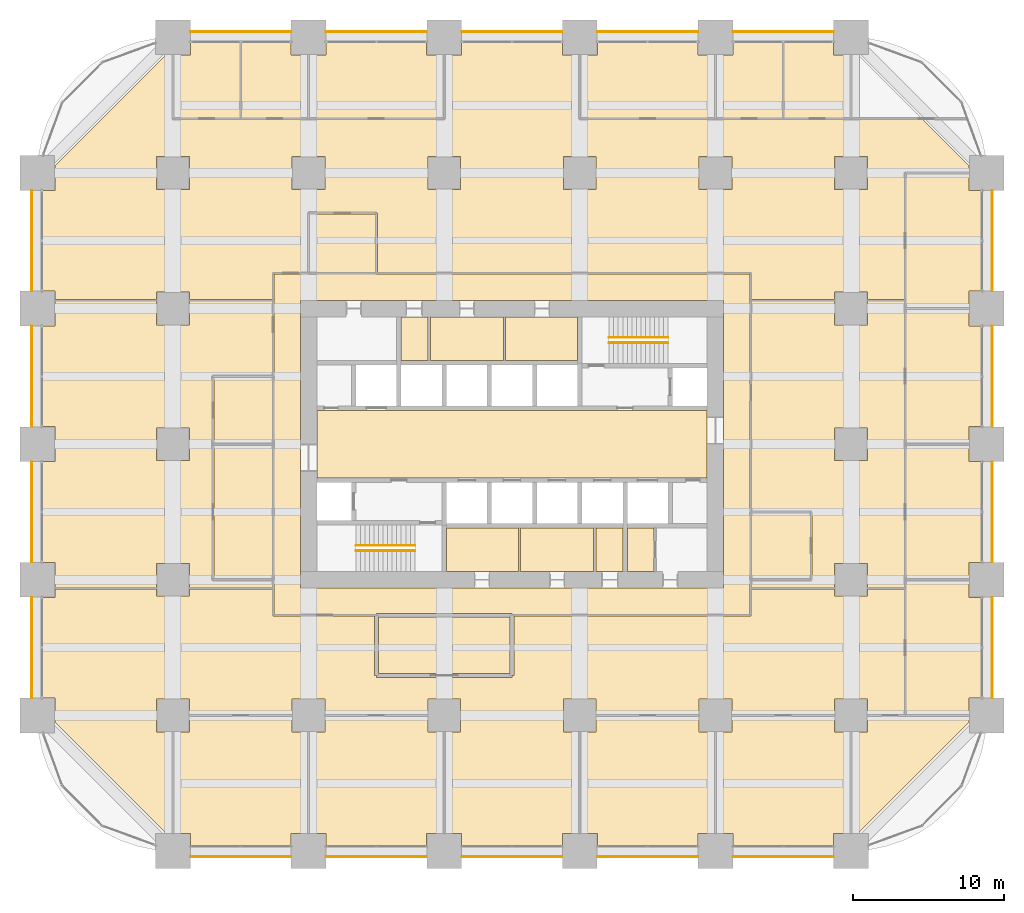
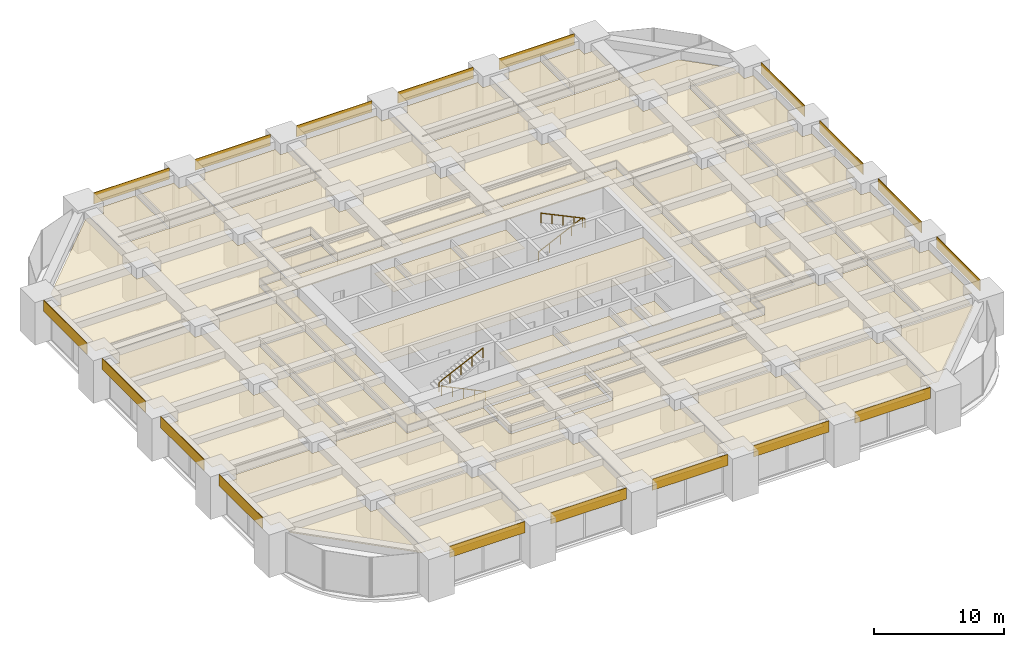
# One storey, part 43 of 44: 51 coverings, 4 railings.
"""IFC4 building model written with IfcOpenShell, lengths in metres."""

from ifc_helpers import new_model, si_unit, direction, frame, frame_2d, origin, origin_2d, place, context, subcontext, project, spatial, polyline, rectangle, circle, outline, extrude, material, layer, layer_set, type_object, element, save


model = new_model("IFC4")

# Units and contexts
model_context = context("Model", 3, precision=1e-05, world=origin(), true_north=direction((0.0, 1.0)))
body_context = subcontext(model_context, "Body", "Model", "MODEL_VIEW")
ifc_project = project(units=[si_unit("LENGTHUNIT", "METRE"), si_unit("AREAUNIT", "SQUARE_METRE"), si_unit("VOLUMEUNIT", "CUBIC_METRE"), si_unit("PLANEANGLEUNIT", "RADIAN"), si_unit("MASSUNIT", "GRAM", prefix="KILO")], contexts=[model_context])

# Site, building, storey
site_placement = place(None, origin())
site = spatial("IfcSite", under=ifc_project, at=site_placement, CompositionType="ELEMENT")
building_placement = place(site_placement, origin())
building = spatial("IfcBuilding", under=site, at=building_placement, Name="Zorevar Civic Tower", CompositionType="ELEMENT")
storey_placement = place(building_placement, frame((0.0, 0.0, 55.800048828125)))
storey = spatial("IfcBuildingStorey", under=building, at=storey_placement, Name="L13", CompositionType="ELEMENT", Elevation=55.800048828125)

# Railings
ifc_material_1 = material(Name="Black steel handrail", Category="steel")
railing_type = type_object("IfcRailingType", Name="Handrail HR1 900", PredefinedType="HANDRAIL", material=ifc_material_1)
railing_1_placement = place(storey_placement, frame((25.050048828125, 19.925048828125, 0.142822265625)))
element("IfcRailing", 1, at=railing_1_placement, inside=storey, type_object=railing_type, Name="Handrail HR1 ST1 L13", PredefinedType="HANDRAIL", context=body_context, shape_type="SweptSolid", body=[
    extrude(circle(Radius=0.02392578125, at=origin_2d()), frame((0.0, 0.0, 0.8759765625), z_axis=(-0.902863652845, 0.0, 0.429926998885), x_axis=(0.0, -1.0, 0.0)), (0.0, 0.0, 1.0), 4.31982421875),
    extrude(circle(Radius=0.02099609375, at=origin_2d()), origin(), (0.0, 0.0, 1.0), 0.851806640625),
    extrude(circle(Radius=0.02099609375, at=origin_2d()), frame((-0.97509765625, 0.0, 0.46435546875)), (0.0, 0.0, 1.0), 0.851806640625),
    extrude(circle(Radius=0.02099609375, at=origin_2d()), frame((-1.9501953125, 0.0, 0.9287109375)), (0.0, 0.0, 1.0), 0.851806640625),
    extrude(circle(Radius=0.02099609375, at=origin_2d()), frame((-2.925048828125, 0.0, 1.392822265625)), (0.0, 0.0, 1.0), 0.851806640625),
    extrude(circle(Radius=0.02099609375, at=origin_2d()), frame((-3.900146484375, 0.0, 1.857177734375)), (0.0, 0.0, 1.0), 0.851806640625),
])
for number, where, name in (
    (2, (21.14990234375, 20.27490234375, 2.142822265625), "Handrail HR1 ST1 L13"),
    (3, (37.949951171875, 34.074951171875, 0.142822265625), "Handrail HR1 ST2 L13"),
):
    element("IfcRailing", number, at=place(storey_placement, frame(where)), inside=storey, type_object=railing_type, Name=name, PredefinedType="HANDRAIL", context=body_context, shape_type="SweptSolid", body=[
        extrude(circle(Radius=0.02392578125, at=origin_2d()), frame((0.0, 0.0, 0.8759765625), z_axis=(0.902863652845, 0.0, 0.429926998885), x_axis=(0.0, 1.0, 0.0)), (0.0, 0.0, 1.0), 4.31982421875),
        extrude(circle(Radius=0.02099609375, at=origin_2d()), origin(), (0.0, 0.0, 1.0), 0.851806640625),
        extrude(circle(Radius=0.02099609375, at=origin_2d()), frame((0.97509765625, 0.0, 0.46435546875)), (0.0, 0.0, 1.0), 0.851806640625),
        extrude(circle(Radius=0.02099609375, at=origin_2d()), frame((1.9501953125, 0.0, 0.9287109375)), (0.0, 0.0, 1.0), 0.851806640625),
        extrude(circle(Radius=0.02099609375, at=origin_2d()), frame((2.925048828125, 0.0, 1.392822265625)), (0.0, 0.0, 1.0), 0.851806640625),
        extrude(circle(Radius=0.02099609375, at=origin_2d()), frame((3.900146484375, 0.0, 1.857177734375)), (0.0, 0.0, 1.0), 0.851806640625),
    ])
railing_2_placement = place(storey_placement, frame((41.85009765625, 33.72509765625, 2.142822265625)))
element("IfcRailing", 4, at=railing_2_placement, inside=storey, type_object=railing_type, Name="Handrail HR1 ST2 L13", PredefinedType="HANDRAIL", context=body_context, shape_type="SweptSolid", body=[
    extrude(circle(Radius=0.02392578125, at=origin_2d()), frame((0.0, 0.0, 0.8759765625), z_axis=(-0.902863652845, 0.0, 0.429926998885), x_axis=(0.0, -1.0, 0.0)), (0.0, 0.0, 1.0), 4.31982421875),
    extrude(circle(Radius=0.02099609375, at=origin_2d()), origin(), (0.0, 0.0, 1.0), 0.851806640625),
    extrude(circle(Radius=0.02099609375, at=origin_2d()), frame((-0.97509765625, 0.0, 0.46435546875)), (0.0, 0.0, 1.0), 0.851806640625),
    extrude(circle(Radius=0.02099609375, at=origin_2d()), frame((-1.9501953125, 0.0, 0.9287109375)), (0.0, 0.0, 1.0), 0.851806640625),
    extrude(circle(Radius=0.02099609375, at=origin_2d()), frame((-2.925048828125, 0.0, 1.392822265625)), (0.0, 0.0, 1.0), 0.851806640625),
    extrude(circle(Radius=0.02099609375, at=origin_2d()), frame((-3.900146484375, 0.0, 1.857177734375)), (0.0, 0.0, 1.0), 0.851806640625),
])

# Coverings
ifc_material_2 = material(Name="Moisture-resistant gypsum board")
ifc_layer_1 = layer(ifc_material_2, 0.012451171875)
ifc_layer_set_1 = layer_set([ifc_layer_1], Name="Moisture-resistant ceiling SC3")
covering_type_1 = type_object("IfcCoveringType", Name="Moisture-resistant ceiling SC3", PredefinedType="CEILING", material=ifc_layer_set_1)
covering_1_placement = place(storey_placement, frame((0.0, 0.0, 3.0)))
element("IfcCovering", 5, at=covering_1_placement, inside=storey, type_object=covering_type_1, Name="Ceiling L13-05", PredefinedType="CEILING", context=body_context, shape_type="SweptSolid", body=[
    extrude(outline(polyline([(31.925048828125, 18.550048828125), (31.925048828125, 21.449951171875), (27.14990234375, 21.449951171875), (27.14990234375, 18.550048828125), (31.925048828125, 18.550048828125)])), origin(), (0.0, 0.0, 1.0), 0.012451171875),
])
covering_2_placement = place(storey_placement, frame((0.0, 0.0, 3.0)))
element("IfcCovering", 6, at=covering_2_placement, inside=storey, type_object=covering_type_1, Name="Ceiling L13-06", PredefinedType="CEILING", context=body_context, shape_type="SweptSolid", body=[
    extrude(outline(polyline([(36.925048828125, 18.550048828125), (36.925048828125, 21.449951171875), (32.074951171875, 21.449951171875), (32.074951171875, 18.550048828125), (36.925048828125, 18.550048828125)])), origin(), (0.0, 0.0, 1.0), 0.012451171875),
])
covering_3_placement = place(storey_placement, frame((0.0, 0.0, 3.0)))
element("IfcCovering", 7, at=covering_3_placement, inside=storey, type_object=covering_type_1, Name="Ceiling L13-07", PredefinedType="CEILING", context=body_context, shape_type="SweptSolid", body=[
    extrude(outline(polyline([(38.85009765625, 18.550048828125), (38.85009765625, 21.449951171875), (37.074951171875, 21.449951171875), (37.074951171875, 18.550048828125), (38.85009765625, 18.550048828125)])), origin(), (0.0, 0.0, 1.0), 0.012451171875),
])
covering_4_placement = place(storey_placement, frame((0.0, 0.0, 3.0)))
element("IfcCovering", 8, at=covering_4_placement, inside=storey, type_object=covering_type_1, Name="Ceiling L13-08", PredefinedType="CEILING", context=body_context, shape_type="SweptSolid", body=[
    extrude(outline(polyline([(35.85009765625, 32.550048828125), (35.85009765625, 35.449951171875), (31.074951171875, 35.449951171875), (31.074951171875, 32.550048828125), (35.85009765625, 32.550048828125)])), origin(), (0.0, 0.0, 1.0), 0.012451171875),
])
covering_5_placement = place(storey_placement, frame((0.0, 0.0, 3.0)))
element("IfcCovering", 9, at=covering_5_placement, inside=storey, type_object=covering_type_1, Name="Ceiling L13-09", PredefinedType="CEILING", context=body_context, shape_type="SweptSolid", body=[
    extrude(outline(polyline([(30.925048828125, 32.550048828125), (30.925048828125, 35.449951171875), (26.074951171875, 35.449951171875), (26.074951171875, 32.550048828125), (30.925048828125, 32.550048828125)])), origin(), (0.0, 0.0, 1.0), 0.012451171875),
])
covering_6_placement = place(storey_placement, frame((0.0, 0.0, 3.0)))
element("IfcCovering", 10, at=covering_6_placement, inside=storey, type_object=covering_type_1, Name="Ceiling L13-10", PredefinedType="CEILING", context=body_context, shape_type="SweptSolid", body=[
    extrude(outline(polyline([(25.925048828125, 32.550048828125), (25.925048828125, 35.449951171875), (24.14990234375, 35.449951171875), (24.14990234375, 32.550048828125), (25.925048828125, 32.550048828125)])), origin(), (0.0, 0.0, 1.0), 0.012451171875),
])
ifc_material_3 = material(Name="Black anodised aluminium spandrel panel", Category="aluminium")
ifc_layer_2 = layer(ifc_material_3, 0.050048828125)
ifc_layer_set_2 = layer_set([ifc_layer_2], Name="Spandrel cladding SP1")
covering_type_2 = type_object("IfcCoveringType", Name="Spandrel cladding SP1", PredefinedType="CLADDING", material=ifc_layer_set_2)
for number, where, z_axis, x_axis, name in (
    (11, (10.14990234375, -0.375, 2.949951171875), (0.0, 0.0, 1.0), (1.0, 0.0, 0.0), "Spandrel cladding L14"),
    (12, (19.14990234375, -0.375, 2.949951171875), (0.0, 0.0, 1.0), (1.0, 0.0, 0.0), "Spandrel cladding L14"),
    (13, (28.14990234375, -0.375, 2.949951171875), (0.0, 0.0, 1.0), (1.0, 0.0, 0.0), "Spandrel cladding L14"),
    (14, (37.14990234375, -0.375, 2.949951171875), (0.0, 0.0, 1.0), (1.0, 0.0, 0.0), "Spandrel cladding L14"),
    (15, (46.14990234375, -0.375, 2.949951171875), (0.0, 0.0, 1.0), (1.0, 0.0, 0.0), "Spandrel cladding L14"),
    (16, (10.14990234375, 54.375, 2.949951171875), (0.0, 0.0, 1.0), (1.0, 0.0, 0.0), "Spandrel cladding L14"),
    (17, (19.14990234375, 54.375, 2.949951171875), (0.0, 0.0, 1.0), (1.0, 0.0, 0.0), "Spandrel cladding L14"),
    (18, (28.14990234375, 54.375, 2.949951171875), (0.0, 0.0, 1.0), (1.0, 0.0, 0.0), "Spandrel cladding L14"),
    (19, (37.14990234375, 54.375, 2.949951171875), (0.0, 0.0, 1.0), (1.0, 0.0, 0.0), "Spandrel cladding L14"),
    (20, (46.14990234375, 54.375, 2.949951171875), (0.0, 0.0, 1.0), (1.0, 0.0, 0.0), "Spandrel cladding L14"),
    (21, (-0.375, 10.14990234375, 2.949951171875), (0.0, 0.0, 1.0), (0.0, 1.0, 0.0), "Spandrel cladding L14"),
    (22, (-0.375, 19.14990234375, 2.949951171875), (0.0, 0.0, 1.0), (0.0, 1.0, 0.0), "Spandrel cladding L14"),
    (23, (-0.375, 28.14990234375, 2.949951171875), (0.0, 0.0, 1.0), (0.0, 1.0, 0.0), "Spandrel cladding L14"),
    (24, (-0.375, 37.14990234375, 2.949951171875), (0.0, 0.0, 1.0), (0.0, 1.0, 0.0), "Spandrel cladding L14"),
    (25, (63.375, 10.14990234375, 2.949951171875), (0.0, 0.0, 1.0), (0.0, 1.0, 0.0), "Spandrel cladding L14"),
    (26, (63.375, 19.14990234375, 2.949951171875), (0.0, 0.0, 1.0), (0.0, 1.0, 0.0), "Spandrel cladding L14"),
    (27, (63.375, 28.14990234375, 2.949951171875), (0.0, 0.0, 1.0), (0.0, 1.0, 0.0), "Spandrel cladding L14"),
    (28, (63.375, 37.14990234375, 2.949951171875), (0.0, 0.0, 1.0), (0.0, 1.0, 0.0), "Spandrel cladding L14"),
):
    element("IfcCovering", number, at=place(storey_placement, frame(where, z_axis=z_axis, x_axis=x_axis)), inside=storey, type_object=covering_type_2, Name=name, PredefinedType="CLADDING", context=body_context, shape_type="SweptSolid", body=[
        extrude(rectangle(XDim=6.7001953125, YDim=0.050048828125, at=frame_2d((3.35009765625, 0.0))), origin(), (0.0, 0.0, 1.0), 1.050048828125),
    ])
ifc_material_4 = material(Name="Mineral fibre tiles on a concealed grid")
ifc_layer_3 = layer(ifc_material_4, 0.02001953125)
ifc_layer_set_3 = layer_set([ifc_layer_3], Name="Suspended ceiling SC1")
covering_type_3 = type_object("IfcCoveringType", Name="Suspended ceiling SC1", PredefinedType="CEILING", material=ifc_layer_set_3)
covering_7_placement = place(storey_placement, frame((0.0, 0.0, 3.0)))
element("IfcCovering", 29, at=covering_7_placement, inside=storey, type_object=covering_type_3, Name="Ceiling L13-11", PredefinedType="CEILING", context=body_context, shape_type="SweptSolid", body=[
    extrude(outline(polyline([(40.93994140625, 18.550048828125), (40.93994140625, 21.449951171875), (39.14990234375, 21.449951171875), (39.14990234375, 18.550048828125), (40.93994140625, 18.550048828125)])), origin(), (0.0, 0.0, 1.0), 0.02001953125),
])
covering_8_placement = place(storey_placement, frame((0.0, 0.0, 3.0)))
element("IfcCovering", 30, at=covering_8_placement, inside=storey, type_object=covering_type_3, Name="Ceiling L13-16", PredefinedType="CEILING", context=body_context, shape_type="SweptSolid", body=[
    extrude(outline(polyline([(44.449951171875, 24.75), (44.449951171875, 29.25), (18.550048828125, 29.25), (18.550048828125, 24.75), (44.449951171875, 24.75)])), origin(), (0.0, 0.0, 1.0), 0.02001953125),
])
covering_9_placement = place(storey_placement, frame((0.0, 0.0, 3.0)))
element("IfcCovering", 31, at=covering_9_placement, inside=storey, type_object=covering_type_3, Name="Ceiling L13-17", PredefinedType="CEILING", context=body_context, shape_type="SweptSolid", body=[
    extrude(outline(polyline([(9.06005859375, 1.159912109375), (9.06005859375, 7.9150390625), (10.0849609375, 7.9150390625), (10.0849609375, 8.93994140625), (16.9150390625, 8.93994140625), (16.9150390625, 7.9150390625), (17.93994140625, 7.9150390625), (17.93994140625, 1.159912109375), (16.840087890625, 1.159912109375), (16.840087890625, 0.35009765625), (10.159912109375, 0.35009765625), (10.159912109375, 1.159912109375), (9.06005859375, 1.159912109375)])), origin(), (0.0, 0.0, 1.0), 0.02001953125),
])
covering_10_placement = place(storey_placement, frame((0.0, 0.0, 3.0)))
element("IfcCovering", 32, at=covering_10_placement, inside=storey, type_object=covering_type_3, Name="Ceiling L13-18", PredefinedType="CEILING", context=body_context, shape_type="SweptSolid", body=[
    extrude(outline(polyline([(18.06005859375, 1.159912109375), (18.06005859375, 7.9150390625), (19.0849609375, 7.9150390625), (19.0849609375, 8.93994140625), (25.9150390625, 8.93994140625), (25.9150390625, 7.9150390625), (26.93994140625, 7.9150390625), (26.93994140625, 1.159912109375), (25.840087890625, 1.159912109375), (25.840087890625, 0.35009765625), (19.159912109375, 0.35009765625), (19.159912109375, 1.159912109375), (18.06005859375, 1.159912109375)])), origin(), (0.0, 0.0, 1.0), 0.02001953125),
])
covering_11_placement = place(storey_placement, frame((0.0, 0.0, 3.0)))
element("IfcCovering", 33, at=covering_11_placement, inside=storey, type_object=covering_type_3, Name="Ceiling L13-19", PredefinedType="CEILING", context=body_context, shape_type="SweptSolid", body=[
    extrude(outline(polyline([(36.06005859375, 1.159912109375), (36.06005859375, 7.9150390625), (37.0849609375, 7.9150390625), (37.0849609375, 8.93994140625), (43.9150390625, 8.93994140625), (43.9150390625, 7.9150390625), (44.93994140625, 7.9150390625), (44.93994140625, 1.159912109375), (43.840087890625, 1.159912109375), (43.840087890625, 0.35009765625), (37.159912109375, 0.35009765625), (37.159912109375, 1.159912109375), (36.06005859375, 1.159912109375)])), origin(), (0.0, 0.0, 1.0), 0.02001953125),
])
covering_12_placement = place(storey_placement, frame((0.0, 0.0, 3.0)))
element("IfcCovering", 34, at=covering_12_placement, inside=storey, type_object=covering_type_3, Name="Ceiling L13-20", PredefinedType="CEILING", context=body_context, shape_type="SweptSolid", body=[
    extrude(outline(polyline([(45.06005859375, 1.159912109375), (45.06005859375, 7.9150390625), (46.0849609375, 7.9150390625), (46.0849609375, 8.93994140625), (52.9150390625, 8.93994140625), (52.9150390625, 7.9150390625), (53.93994140625, 7.9150390625), (53.93994140625, 1.159912109375), (52.840087890625, 1.159912109375), (52.840087890625, 0.35009765625), (46.159912109375, 0.35009765625), (46.159912109375, 1.159912109375), (45.06005859375, 1.159912109375)])), origin(), (0.0, 0.0, 1.0), 0.02001953125),
])
covering_13_placement = place(storey_placement, frame((0.0, 0.0, 3.0)))
element("IfcCovering", 35, at=covering_13_placement, inside=storey, type_object=covering_type_3, Name="Ceiling L13-21", PredefinedType="CEILING", context=body_context, shape_type="SweptSolid", body=[
    extrude(outline(polyline([(22.625, 15.52490234375), (31.375, 15.52490234375), (31.375, 11.77490234375), (22.625, 11.77490234375), (22.625, 15.52490234375)])), origin(), (0.0, 0.0, 1.0), 0.02001953125),
])
covering_14_placement = place(storey_placement, frame((0.0, 0.0, 3.0)))
element("IfcCovering", 36, at=covering_14_placement, inside=storey, type_object=covering_type_3, Name="Ceiling L13-22", PredefinedType="CEILING", context=body_context, shape_type="SweptSolid", body=[
    extrude(outline(polyline([(15.590087890625, 18.06005859375), (11.7099609375, 18.06005859375), (11.7099609375, 26.93994140625), (15.590087890625, 26.93994140625), (15.590087890625, 18.06005859375)])), origin(), (0.0, 0.0, 1.0), 0.02001953125),
])
covering_15_placement = place(storey_placement, frame((0.0, 0.0, 3.0)))
element("IfcCovering", 37, at=covering_15_placement, inside=storey, type_object=covering_type_3, Name="Ceiling L13-23", PredefinedType="CEILING", context=body_context, shape_type="SweptSolid", body=[
    extrude(outline(polyline([(15.590087890625, 31.43994140625), (15.590087890625, 27.06005859375), (11.7099609375, 27.06005859375), (11.7099609375, 31.43994140625), (15.590087890625, 31.43994140625)])), origin(), (0.0, 0.0, 1.0), 0.02001953125),
])
covering_16_placement = place(storey_placement, frame((0.0, 0.0, 3.0)))
element("IfcCovering", 38, at=covering_16_placement, inside=storey, type_object=covering_type_3, Name="Ceiling L13-24", PredefinedType="CEILING", context=body_context, shape_type="SweptSolid", body=[
    extrude(outline(polyline([(9.06005859375, 48.659912109375), (9.06005859375, 52.840087890625), (10.159912109375, 52.840087890625), (10.159912109375, 53.64990234375), (13.43994140625, 53.64990234375), (13.43994140625, 48.659912109375), (9.06005859375, 48.659912109375)])), origin(), (0.0, 0.0, 1.0), 0.02001953125),
])
covering_17_placement = place(storey_placement, frame((0.0, 0.0, 3.0)))
element("IfcCovering", 39, at=covering_17_placement, inside=storey, type_object=covering_type_3, Name="Ceiling L13-25", PredefinedType="CEILING", context=body_context, shape_type="SweptSolid", body=[
    extrude(outline(polyline([(13.56005859375, 48.659912109375), (13.56005859375, 53.64990234375), (16.840087890625, 53.64990234375), (16.840087890625, 52.840087890625), (17.93994140625, 52.840087890625), (17.93994140625, 48.659912109375), (13.56005859375, 48.659912109375)])), origin(), (0.0, 0.0, 1.0), 0.02001953125),
])
covering_18_placement = place(storey_placement, frame((0.0, 0.0, 3.0)))
element("IfcCovering", 40, at=covering_18_placement, inside=storey, type_object=covering_type_3, Name="Ceiling L13-26", PredefinedType="CEILING", context=body_context, shape_type="SweptSolid", body=[
    extrude(outline(polyline([(19.159912109375, 52.840087890625), (19.159912109375, 53.64990234375), (25.840087890625, 53.64990234375), (25.840087890625, 52.840087890625), (26.93994140625, 52.840087890625), (26.93994140625, 48.659912109375), (18.06005859375, 48.659912109375), (18.06005859375, 52.840087890625), (19.159912109375, 52.840087890625)])), origin(), (0.0, 0.0, 1.0), 0.02001953125),
])
covering_19_placement = place(storey_placement, frame((0.0, 0.0, 3.0)))
element("IfcCovering", 41, at=covering_19_placement, inside=storey, type_object=covering_type_3, Name="Ceiling L13-27", PredefinedType="CEILING", context=body_context, shape_type="SweptSolid", body=[
    extrude(outline(polyline([(37.159912109375, 52.840087890625), (37.159912109375, 53.64990234375), (43.840087890625, 53.64990234375), (43.840087890625, 52.840087890625), (44.93994140625, 52.840087890625), (44.93994140625, 48.659912109375), (36.06005859375, 48.659912109375), (36.06005859375, 52.840087890625), (37.159912109375, 52.840087890625)])), origin(), (0.0, 0.0, 1.0), 0.02001953125),
])
covering_20_placement = place(storey_placement, frame((0.0, 0.0, 3.0)))
element("IfcCovering", 42, at=covering_20_placement, inside=storey, type_object=covering_type_3, Name="Ceiling L13-28", PredefinedType="CEILING", context=body_context, shape_type="SweptSolid", body=[
    extrude(outline(polyline([(45.06005859375, 48.659912109375), (45.06005859375, 52.840087890625), (46.159912109375, 52.840087890625), (46.159912109375, 53.64990234375), (49.43994140625, 53.64990234375), (49.43994140625, 48.659912109375), (45.06005859375, 48.659912109375)])), origin(), (0.0, 0.0, 1.0), 0.02001953125),
])
covering_21_placement = place(storey_placement, frame((0.0, 0.0, 3.0)))
element("IfcCovering", 43, at=covering_21_placement, inside=storey, type_object=covering_type_3, Name="Ceiling L13-29", PredefinedType="CEILING", context=body_context, shape_type="SweptSolid", body=[
    extrude(outline(polyline([(49.56005859375, 48.659912109375), (49.56005859375, 53.64990234375), (52.840087890625, 53.64990234375), (52.840087890625, 52.840087890625), (53.93994140625, 52.840087890625), (53.93994140625, 48.659912109375), (49.56005859375, 48.659912109375)])), origin(), (0.0, 0.0, 1.0), 0.02001953125),
])
covering_22_placement = place(storey_placement, frame((0.0, 0.0, 3.0)))
element("IfcCovering", 44, at=covering_22_placement, inside=storey, type_object=covering_type_3, Name="Ceiling L13-30", PredefinedType="CEILING", context=body_context, shape_type="SweptSolid", body=[
    extrude(outline(polyline([(62.64990234375, 10.159912109375), (61.840087890625, 10.159912109375), (61.840087890625, 9.06005859375), (57.659912109375, 9.06005859375), (57.659912109375, 17.93994140625), (61.840087890625, 17.93994140625), (61.840087890625, 16.840087890625), (62.64990234375, 16.840087890625), (62.64990234375, 10.159912109375)])), origin(), (0.0, 0.0, 1.0), 0.02001953125),
])
covering_23_placement = place(storey_placement, frame((0.0, 0.0, 3.0)))
element("IfcCovering", 45, at=covering_23_placement, inside=storey, type_object=covering_type_3, Name="Ceiling L13-31", PredefinedType="CEILING", context=body_context, shape_type="SweptSolid", body=[
    extrude(outline(polyline([(62.64990234375, 19.159912109375), (61.840087890625, 19.159912109375), (61.840087890625, 18.06005859375), (57.659912109375, 18.06005859375), (57.659912109375, 26.93994140625), (61.840087890625, 26.93994140625), (61.840087890625, 25.840087890625), (62.64990234375, 25.840087890625), (62.64990234375, 19.159912109375)])), origin(), (0.0, 0.0, 1.0), 0.02001953125),
])
covering_24_placement = place(storey_placement, frame((0.0, 0.0, 3.0)))
element("IfcCovering", 46, at=covering_24_placement, inside=storey, type_object=covering_type_3, Name="Ceiling L13-32", PredefinedType="CEILING", context=body_context, shape_type="SweptSolid", body=[
    extrude(outline(polyline([(62.64990234375, 28.159912109375), (61.840087890625, 28.159912109375), (61.840087890625, 27.06005859375), (57.659912109375, 27.06005859375), (57.659912109375, 35.93994140625), (61.840087890625, 35.93994140625), (61.840087890625, 34.840087890625), (62.64990234375, 34.840087890625), (62.64990234375, 28.159912109375)])), origin(), (0.0, 0.0, 1.0), 0.02001953125),
])
covering_25_placement = place(storey_placement, frame((0.0, 0.0, 3.0)))
element("IfcCovering", 47, at=covering_25_placement, inside=storey, type_object=covering_type_3, Name="Ceiling L13-33", PredefinedType="CEILING", context=body_context, shape_type="SweptSolid", body=[
    extrude(outline(polyline([(62.64990234375, 37.159912109375), (61.840087890625, 37.159912109375), (61.840087890625, 36.06005859375), (57.659912109375, 36.06005859375), (57.659912109375, 44.93994140625), (61.840087890625, 44.93994140625), (61.840087890625, 43.840087890625), (62.64990234375, 43.840087890625), (62.64990234375, 37.159912109375)])), origin(), (0.0, 0.0, 1.0), 0.02001953125),
])
covering_26_placement = place(storey_placement, frame((0.0, 0.0, 3.0)))
element("IfcCovering", 48, at=covering_26_placement, inside=storey, type_object=covering_type_3, Name="Ceiling L13-34", PredefinedType="CEILING", context=body_context, shape_type="SweptSolid", body=[
    extrude(outline(polyline([(18.06005859375, 42.2900390625), (22.43994140625, 42.2900390625), (22.43994140625, 38.409912109375), (18.06005859375, 38.409912109375), (18.06005859375, 42.2900390625)])), origin(), (0.0, 0.0, 1.0), 0.02001953125),
])
covering_27_placement = place(storey_placement, frame((0.0, 0.0, 3.0)))
element("IfcCovering", 49, at=covering_27_placement, inside=storey, type_object=covering_type_3, Name="Ceiling L13-35", PredefinedType="CEILING", context=body_context, shape_type="SweptSolid", body=[
    extrude(outline(polyline([(47.409912109375, 18.06005859375), (47.409912109375, 22.43994140625), (51.300048828125, 22.43994140625), (51.300048828125, 18.06005859375), (47.409912109375, 18.06005859375)])), origin(), (0.0, 0.0, 1.0), 0.02001953125),
])
covering_28_placement = place(storey_placement, frame((0.0, 0.0, 3.0)))
element("IfcCovering", 50, at=covering_28_placement, inside=storey, type_object=covering_type_3, Name="Ceiling L13-36", PredefinedType="CEILING", context=body_context, shape_type="SweptSolid", body=[
    extrude(outline(polyline([(54.06005859375, 1.159912109375), (54.06005859375, 7.9150390625), (55.0849609375, 7.9150390625), (55.0849609375, 8.93994140625), (61.840087890625, 8.93994140625), (61.840087890625, 8.547119140625), (54.452880859375, 1.159912109375), (54.06005859375, 1.159912109375)])), origin(), (0.0, 0.0, 1.0), 0.02001953125),
])
covering_29_placement = place(storey_placement, frame((0.0, 0.0, 3.0)))
element("IfcCovering", 51, at=covering_29_placement, inside=storey, type_object=covering_type_3, Name="Ceiling L13-38", PredefinedType="CEILING", context=body_context, shape_type="SweptSolid", body=[
    extrude(outline(polyline([(22.5, 38.300048828125), (47.300048828125, 38.300048828125), (47.300048828125, 22.5), (47.2900390625, 22.5), (47.2900390625, 18.0), (47.300048828125, 18.0), (47.300048828125, 15.699951171875), (31.5, 15.699951171875), (31.5, 15.77490234375), (22.5, 15.77490234375), (22.5, 15.699951171875), (15.699951171875, 15.699951171875), (15.699951171875, 18.0), (15.7099609375, 18.0), (15.7099609375, 31.5), (15.699951171875, 31.5), (15.699951171875, 38.300048828125), (18.0, 38.300048828125), (18.0, 38.2900390625), (22.5, 38.2900390625), (22.5, 38.300048828125)]), holes=[polyline([(45.550048828125, 17.449951171875), (45.550048828125, 36.550048828125), (17.449951171875, 36.550048828125), (17.449951171875, 17.449951171875), (45.550048828125, 17.449951171875)])]), origin(), (0.0, 0.0, 1.0), 0.02001953125),
])
covering_30_placement = place(storey_placement, frame((0.0, 0.0, 3.0)))
element("IfcCovering", 52, at=covering_30_placement, inside=storey, type_object=covering_type_3, Name="Ceiling L13-39", PredefinedType="CEILING", context=body_context, shape_type="SweptSolid", body=[
    extrude(outline(polyline([(55.0849609375, 19.0849609375), (52.9150390625, 19.0849609375), (52.9150390625, 17.5), (47.39990234375, 17.5), (47.39990234375, 17.93994140625), (51.35009765625, 17.93994140625), (51.35009765625, 18.0), (51.39990234375, 18.0), (51.39990234375, 22.5), (51.35009765625, 22.5), (51.35009765625, 22.56005859375), (47.39990234375, 22.56005859375), (47.39990234375, 36.5), (52.9150390625, 36.5), (52.9150390625, 34.9150390625), (55.0849609375, 34.9150390625), (55.0849609375, 36.5), (57.5400390625, 36.5), (57.5400390625, 17.5), (55.0849609375, 17.5), (55.0849609375, 19.0849609375)]), holes=[polyline([(52.9150390625, 28.0849609375), (52.9150390625, 25.9150390625), (55.0849609375, 25.9150390625), (55.0849609375, 28.0849609375), (52.9150390625, 28.0849609375)])]), origin(), (0.0, 0.0, 1.0), 0.02001953125),
])
covering_31_placement = place(storey_placement, frame((0.0, 0.0, 3.0)))
element("IfcCovering", 53, at=covering_31_placement, inside=storey, type_object=covering_type_3, Name="Ceiling L13-40", PredefinedType="CEILING", context=body_context, shape_type="SweptSolid", body=[
    extrude(outline(polyline([(57.60009765625, 45.06005859375), (57.60009765625, 45.0), (57.5400390625, 45.0), (57.5400390625, 36.60009765625), (55.0849609375, 36.60009765625), (55.0849609375, 37.0849609375), (52.9150390625, 37.0849609375), (52.9150390625, 36.60009765625), (47.39990234375, 36.60009765625), (47.39990234375, 38.35009765625), (47.35009765625, 38.35009765625), (47.35009765625, 38.39990234375), (22.56005859375, 38.39990234375), (22.56005859375, 42.35009765625), (22.5, 42.35009765625), (22.5, 42.409912109375), (18.0, 42.409912109375), (18.0, 42.35009765625), (17.93994140625, 42.35009765625), (17.93994140625, 38.39990234375), (15.64990234375, 38.39990234375), (15.64990234375, 38.35009765625), (15.60009765625, 38.35009765625), (15.60009765625, 36.60009765625), (10.0849609375, 36.60009765625), (10.0849609375, 37.0849609375), (7.9150390625, 37.0849609375), (7.9150390625, 36.60009765625), (1.159912109375, 36.60009765625), (1.159912109375, 37.159912109375), (0.35009765625, 37.159912109375), (0.35009765625, 43.840087890625), (1.159912109375, 43.840087890625), (1.159912109375, 45.452880859375), (8.547119140625, 52.840087890625), (8.93994140625, 52.840087890625), (8.93994140625, 48.60009765625), (9.0, 48.60009765625), (9.0, 48.5400390625), (27.0, 48.5400390625), (27.0, 48.60009765625), (27.06005859375, 48.60009765625), (27.06005859375, 52.840087890625), (28.159912109375, 52.840087890625), (28.159912109375, 53.64990234375), (34.840087890625, 53.64990234375), (34.840087890625, 52.840087890625), (35.93994140625, 52.840087890625), (35.93994140625, 48.60009765625), (36.0, 48.60009765625), (36.0, 48.5400390625), (58.7529296875, 48.5400390625), (61.840087890625, 45.452880859375), (61.840087890625, 45.06005859375), (57.60009765625, 45.06005859375)]), holes=[polyline([(10.0849609375, 46.0849609375), (7.9150390625, 46.0849609375), (7.9150390625, 43.9150390625), (10.0849609375, 43.9150390625), (10.0849609375, 46.0849609375)]), polyline([(16.9150390625, 43.9150390625), (19.0849609375, 43.9150390625), (19.0849609375, 46.0849609375), (16.9150390625, 46.0849609375), (16.9150390625, 43.9150390625)]), polyline([(25.9150390625, 46.0849609375), (25.9150390625, 43.9150390625), (28.0849609375, 43.9150390625), (28.0849609375, 46.0849609375), (25.9150390625, 46.0849609375)]), polyline([(37.0849609375, 43.9150390625), (37.0849609375, 46.0849609375), (34.9150390625, 46.0849609375), (34.9150390625, 43.9150390625), (37.0849609375, 43.9150390625)]), polyline([(43.9150390625, 46.0849609375), (43.9150390625, 43.9150390625), (46.0849609375, 43.9150390625), (46.0849609375, 46.0849609375), (43.9150390625, 46.0849609375)]), polyline([(55.0849609375, 43.9150390625), (55.0849609375, 46.0849609375), (52.9150390625, 46.0849609375), (52.9150390625, 43.9150390625), (55.0849609375, 43.9150390625)])]), origin(), (0.0, 0.0, 1.0), 0.02001953125),
])
covering_32_placement = place(storey_placement, frame((0.0, 0.0, 3.0)))
element("IfcCovering", 54, at=covering_32_placement, inside=storey, type_object=covering_type_3, Name="Ceiling L13-41", PredefinedType="CEILING", context=body_context, shape_type="SweptSolid", body=[
    extrude(outline(polyline([(1.159912109375, 17.39990234375), (7.9150390625, 17.39990234375), (7.9150390625, 16.9150390625), (10.0849609375, 16.9150390625), (10.0849609375, 17.39990234375), (15.60009765625, 17.39990234375), (15.60009765625, 15.64990234375), (15.64990234375, 15.64990234375), (15.64990234375, 15.60009765625), (22.375, 15.60009765625), (22.375, 11.64990234375), (22.5, 11.64990234375), (22.5, 11.52490234375), (31.5, 11.52490234375), (31.5, 11.64990234375), (31.625, 11.64990234375), (31.625, 15.60009765625), (47.35009765625, 15.60009765625), (47.35009765625, 15.64990234375), (47.39990234375, 15.64990234375), (47.39990234375, 17.39990234375), (52.9150390625, 17.39990234375), (52.9150390625, 16.9150390625), (55.0849609375, 16.9150390625), (55.0849609375, 17.39990234375), (57.5400390625, 17.39990234375), (57.5400390625, 9.06005859375), (55.0849609375, 9.06005859375), (55.0849609375, 10.0849609375), (52.9150390625, 10.0849609375), (52.9150390625, 9.06005859375), (46.0849609375, 9.06005859375), (46.0849609375, 10.0849609375), (43.9150390625, 10.0849609375), (43.9150390625, 9.06005859375), (37.0849609375, 9.06005859375), (37.0849609375, 10.0849609375), (34.9150390625, 10.0849609375), (34.9150390625, 7.9150390625), (35.93994140625, 7.9150390625), (35.93994140625, 1.159912109375), (34.840087890625, 1.159912109375), (34.840087890625, 0.35009765625), (28.159912109375, 0.35009765625), (28.159912109375, 1.159912109375), (27.06005859375, 1.159912109375), (27.06005859375, 7.9150390625), (28.0849609375, 7.9150390625), (28.0849609375, 10.0849609375), (25.9150390625, 10.0849609375), (25.9150390625, 9.06005859375), (19.0849609375, 9.06005859375), (19.0849609375, 10.0849609375), (16.9150390625, 10.0849609375), (16.9150390625, 9.06005859375), (10.0849609375, 9.06005859375), (10.0849609375, 10.0849609375), (7.9150390625, 10.0849609375), (7.9150390625, 7.9150390625), (8.93994140625, 7.9150390625), (8.93994140625, 1.159912109375), (8.547119140625, 1.159912109375), (1.159912109375, 8.547119140625), (1.159912109375, 10.159912109375), (0.35009765625, 10.159912109375), (0.35009765625, 16.840087890625), (1.159912109375, 16.840087890625), (1.159912109375, 17.39990234375)])), origin(), (0.0, 0.0, 1.0), 0.02001953125),
])
covering_33_placement = place(storey_placement, frame((0.0, 0.0, 3.0)))
element("IfcCovering", 55, at=covering_33_placement, inside=storey, type_object=covering_type_3, Name="Ceiling L13-42", PredefinedType="CEILING", context=body_context, shape_type="SweptSolid", body=[
    extrude(outline(polyline([(10.0849609375, 19.0849609375), (7.9150390625, 19.0849609375), (7.9150390625, 17.5), (1.159912109375, 17.5), (1.159912109375, 19.159912109375), (0.35009765625, 19.159912109375), (0.35009765625, 25.840087890625), (1.159912109375, 25.840087890625), (1.159912109375, 28.159912109375), (0.35009765625, 28.159912109375), (0.35009765625, 34.840087890625), (1.159912109375, 34.840087890625), (1.159912109375, 36.5), (7.9150390625, 36.5), (7.9150390625, 34.9150390625), (10.0849609375, 34.9150390625), (10.0849609375, 36.5), (15.60009765625, 36.5), (15.60009765625, 31.56005859375), (11.64990234375, 31.56005859375), (11.64990234375, 31.5), (11.590087890625, 31.5), (11.590087890625, 18.0), (11.64990234375, 18.0), (11.64990234375, 17.93994140625), (15.60009765625, 17.93994140625), (15.60009765625, 17.5), (10.0849609375, 17.5), (10.0849609375, 19.0849609375)]), holes=[polyline([(7.9150390625, 28.0849609375), (7.9150390625, 25.9150390625), (10.0849609375, 25.9150390625), (10.0849609375, 28.0849609375), (7.9150390625, 28.0849609375)])]), origin(), (0.0, 0.0, 1.0), 0.02001953125),
])

save(model, "model.ifc")
